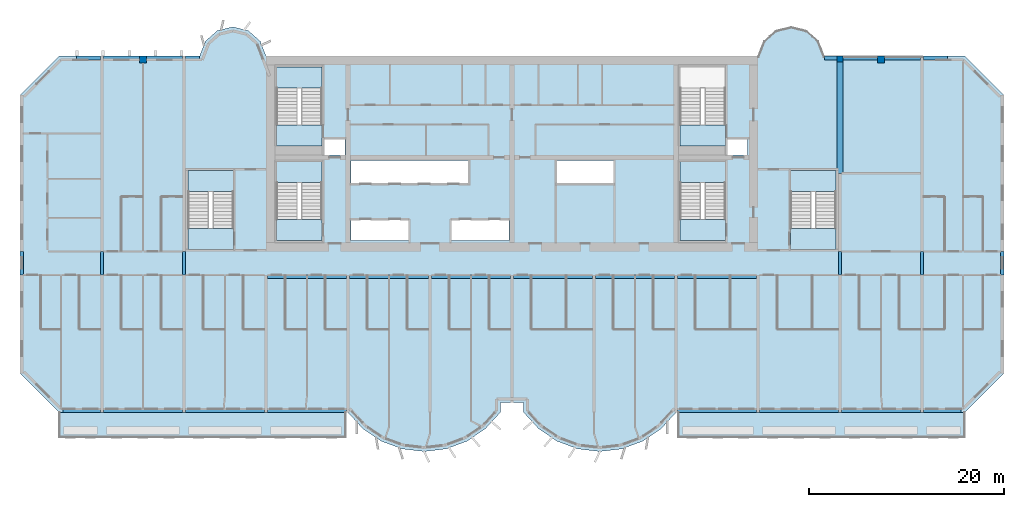
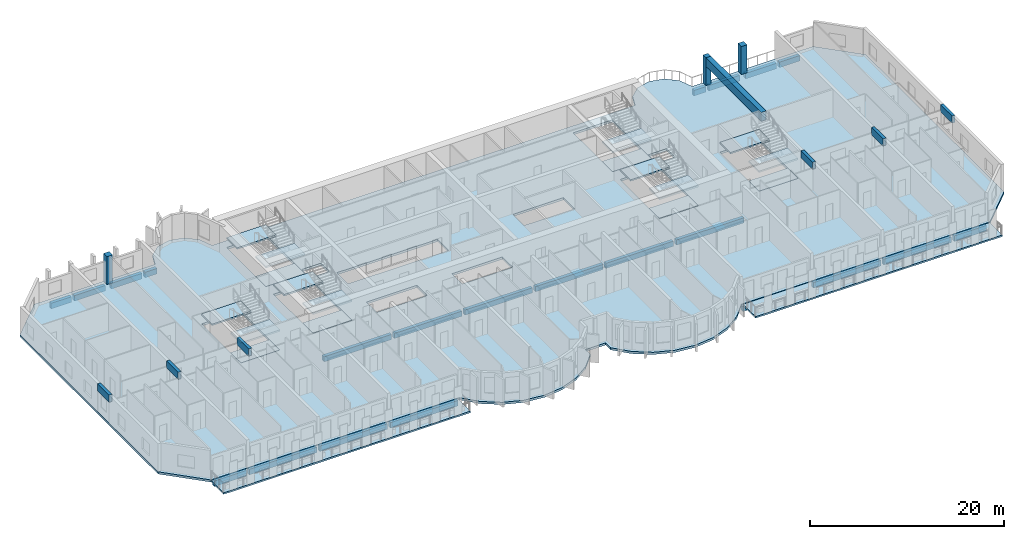
# One storey, part 1 of 15: 29 beams, 20 slabs, 3 columns, 6 elements without a shape of their own.
"""IFC4 building model written with IfcOpenShell, lengths in metres."""

from ifc_helpers import new_model, si_unit, direction, frame, origin, origin_2d, place, context, subcontext, project, spatial, polyline, rectangle, outline, extrude, source, transform, mapped, material, layer, layer_set, material_profile, profile_set, type_object, element, aggregate, save


model = new_model("IFC4")

# Units and contexts
model_context = context("Model", 3, precision=1e-05, world=origin(), true_north=direction((0.0, 1.0)))
body_context = subcontext(model_context, "Body", "Model", "MODEL_VIEW")
ifc_project = project(units=[si_unit("LENGTHUNIT", "METRE"), si_unit("AREAUNIT", "SQUARE_METRE"), si_unit("VOLUMEUNIT", "CUBIC_METRE"), si_unit("PLANEANGLEUNIT", "RADIAN"), si_unit("MASSUNIT", "GRAM", prefix="KILO")], contexts=[model_context])

# Site, building, storey
site_placement = place(None, origin())
site = spatial("IfcSite", under=ifc_project, at=site_placement, CompositionType="ELEMENT")
building_placement = place(site_placement, origin())
building = spatial("IfcBuilding", under=site, at=building_placement, Name="Vanashikhar Sky Hotel", CompositionType="ELEMENT")
storey_placement = place(building_placement, frame((0.0, 0.0, 106.60009765625)))
storey = spatial("IfcBuildingStorey", under=building, at=storey_placement, Name="L25", CompositionType="ELEMENT", Elevation=106.60009765625)

# Columns
ifc_material_1 = material(Name="Concrete M60", Category="concrete")
ifc_material_profile_1 = material_profile(ifc_material_1, rectangle(XDim=0.60009765625, YDim=0.60009765625, at=origin_2d()))
ifc_profile_set_1 = profile_set([ifc_material_profile_1], Name="RC 600x600 column Concrete M60")
column_type_1 = type_object("IfcColumnType", Name="RC 600x600 column Concrete M60", PredefinedType="COLUMN", material=ifc_profile_set_1)
shared_shape_1 = source(origin(), body_context, "Body", "SweptSolid", [
    extrude(rectangle(XDim=0.60009765625, YDim=0.60009765625, at=origin_2d()), origin(), (0.0, 0.0, 1.0), 3.52001953125),
])
column_placement = place(storey_placement, frame((84.0, 41.699951171875, 0.0), z_axis=(0.0, 0.0, 1.0), x_axis=(1.0, 0.0, 0.0)))
element("IfcColumn", 1, at=column_placement, inside=storey, type_object=column_type_1, Name="CL-L25-CRF", PredefinedType="COLUMN", context=body_context, shape_type="MappedRepresentation", body=[
    mapped(shared_shape_1, transform((0.0, 0.0, 0.0), scale=1.0)),
])
ifc_material_profile_2 = material_profile(ifc_material_1, rectangle(XDim=0.699951171875, YDim=0.699951171875, at=origin_2d()))
ifc_profile_set_2 = profile_set([ifc_material_profile_2], Name="RC 700x700 column Concrete M60")
column_type_2 = type_object("IfcColumnType", Name="RC 700x700 column Concrete M60", PredefinedType="COLUMN", material=ifc_profile_set_2)
shared_shape_2 = source(origin(), body_context, "Body", "SweptSolid", [
    extrude(rectangle(XDim=0.699951171875, YDim=0.699951171875, at=origin_2d()), origin(), (0.0, 0.0, 1.0), 3.52001953125),
])
for number, where, z_axis, x_axis, name in (
    (2, (12.60009765625, 41.64990234375, 0.0), (0.0, 0.0, 1.0), (1.0, 0.0, 0.0), "CL-L25-CR02"),
    (3, (88.199951171875, 41.64990234375, 0.0), (0.0, 0.0, 1.0), (1.0, 0.0, 0.0), "CL-L25-CR11"),
):
    element("IfcColumn", number, at=place(storey_placement, frame(where, z_axis=z_axis, x_axis=x_axis)), inside=storey, type_object=column_type_2, Name=name, PredefinedType="COLUMN", context=body_context, shape_type="MappedRepresentation", body=[
        mapped(shared_shape_2, transform((0.0, 0.0, 0.0), scale=1.0)),
    ])

# Beams
ifc_material_2 = material(Name="Concrete M50", Category="concrete")
ifc_material_profile_3 = material_profile(ifc_material_2, rectangle(XDim=0.60009765625, YDim=1.10009765625, at=origin_2d()))
ifc_profile_set_3 = profile_set([ifc_material_profile_3], Name="RC 600x1100 beam Concrete M50")
beam_type_1 = type_object("IfcBeamType", Name="RC 600x1100 beam Concrete M50", PredefinedType="BEAM", material=ifc_profile_set_3)
shared_shape_3 = source(origin(), body_context, "Body", "SweptSolid", [
    extrude(rectangle(XDim=0.60009765625, YDim=1.10009765625, at=origin_2d()), origin(), (0.0, 0.0, 1.0), 11.39990234375),
])
beam_1_placement = place(storey_placement, frame((84.0, 30.0, 2.969970703125), z_axis=(0.0, 1.0, 0.0), x_axis=(-1.0, 0.0, 0.0)))
element("IfcBeam", 4, at=beam_1_placement, inside=storey, type_object=beam_type_1, Name="LB-L25-XW11-O1", PredefinedType="BEAM", context=body_context, shape_type="MappedRepresentation", body=[
    mapped(shared_shape_3, transform((0.0, 0.0, 0.0), scale=1.0)),
])
ifc_material_profile_4 = material_profile(ifc_material_2, rectangle(XDim=0.35009765625, YDim=0.89990234375, at=origin_2d()))
ifc_profile_set_4 = profile_set([ifc_material_profile_4], Name="RC 350x900 beam Concrete M50")
beam_type_2 = type_object("IfcBeamType", Name="RC 350x900 beam Concrete M50", PredefinedType="LINTEL", material=ifc_profile_set_4)
shared_shape_4 = source(origin(), body_context, "Body", "SweptSolid", [
    extrude(rectangle(XDim=0.35009765625, YDim=0.89990234375, at=origin_2d()), origin(), (0.0, 0.0, 1.0), 2.39990234375),
])
for number, where, z_axis, x_axis, name in (
    (5, (0.175048828125, 19.60009765625, 3.06982421875), (0.0, 1.0, 0.0), (-1.0, 0.0, 0.0), "LB-L25-XW01"),
    (6, (8.39990234375, 19.60009765625, 3.06982421875), (0.0, 1.0, 0.0), (-1.0, 0.0, 0.0), "LB-L25-XW02"),
    (7, (16.800048828125, 19.60009765625, 3.06982421875), (0.0, 1.0, 0.0), (-1.0, 0.0, 0.0), "LB-L25-XW03"),
    (8, (84.0, 19.60009765625, 3.06982421875), (0.0, 1.0, 0.0), (-1.0, 0.0, 0.0), "LB-L25-XW11"),
    (9, (92.39990234375, 19.60009765625, 3.06982421875), (0.0, 1.0, 0.0), (-1.0, 0.0, 0.0), "LB-L25-XW12"),
    (10, (100.625, 19.60009765625, 3.06982421875), (0.0, 1.0, 0.0), (-1.0, 0.0, 0.0), "LB-L25-XW13"),
):
    element("IfcBeam", number, at=place(storey_placement, frame(where, z_axis=z_axis, x_axis=x_axis)), inside=storey, type_object=beam_type_2, Name=name, PredefinedType="LINTEL", context=body_context, shape_type="MappedRepresentation", body=[
        mapped(shared_shape_4, transform((0.0, 0.0, 0.0), scale=1.0)),
    ])
ifc_material_profile_5 = material_profile(ifc_material_2, rectangle(XDim=0.39990234375, YDim=0.699951171875, at=origin_2d()))
ifc_profile_set_5 = profile_set([ifc_material_profile_5], Name="RC 400x700 beam Concrete M50")
beam_type_3 = type_object("IfcBeamType", Name="RC 400x700 beam Concrete M50", PredefinedType="SPANDREL", material=ifc_profile_set_5)
shared_shape_5 = source(origin(), body_context, "Body", "SweptSolid", [
    extrude(rectangle(XDim=0.39990234375, YDim=0.699951171875, at=origin_2d()), origin(), (0.0, 0.0, 1.0), 8.050048828125),
])
for number, where, z_axis, x_axis, name in (
    (11, (8.574951171875, 5.699951171875, -0.630126953125), (1.0, 0.0, 0.0), (0.0, 1.0, 0.0), "EB-L25-F01"),
    (12, (25.375, 5.699951171875, -0.630126953125), (1.0, 0.0, 0.0), (0.0, 1.0, 0.0), "EB-L25-F03"),
    (13, (67.375, 5.699951171875, -0.630126953125), (1.0, 0.0, 0.0), (0.0, 1.0, 0.0), "EB-L25-F05"),
    (14, (75.77490234375, 5.699951171875, -0.630126953125), (1.0, 0.0, 0.0), (0.0, 1.0, 0.0), "EB-L25-F06"),
    (15, (84.175048828125, 5.699951171875, -0.630126953125), (1.0, 0.0, 0.0), (0.0, 1.0, 0.0), "EB-L25-F07"),
):
    element("IfcBeam", number, at=place(storey_placement, frame(where, z_axis=z_axis, x_axis=x_axis)), inside=storey, type_object=beam_type_3, Name=name, PredefinedType="SPANDREL", context=body_context, shape_type="MappedRepresentation", body=[
        mapped(shared_shape_5, transform((0.0, 0.0, 0.0), scale=1.0)),
    ])
shared_shape_6 = source(origin(), body_context, "Body", "SweptSolid", [
    extrude(rectangle(XDim=0.39990234375, YDim=0.699951171875, at=origin_2d()), origin(), (0.0, 0.0, 1.0), 8.0498046875),
])
beam_2_placement = place(storey_placement, frame((16.97509765625, 5.699951171875, -0.630126953125), z_axis=(1.0, 0.0, 0.0), x_axis=(0.0, 1.0, 0.0)))
element("IfcBeam", 16, at=beam_2_placement, inside=storey, type_object=beam_type_3, Name="EB-L25-F02", PredefinedType="SPANDREL", context=body_context, shape_type="MappedRepresentation", body=[
    mapped(shared_shape_6, transform((0.0, 0.0, 0.0), scale=1.0)),
])
ifc_material_profile_6 = material_profile(ifc_material_2, rectangle(XDim=0.39990234375, YDim=0.699951171875, at=origin_2d()))
ifc_profile_set_6 = profile_set([ifc_material_profile_6], Name="RC 400x700 cantilever beam Concrete M50")
beam_type_4 = type_object("IfcBeamType", Name="RC 400x700 cantilever beam Concrete M50", PredefinedType="SPANDREL", material=ifc_profile_set_6)
shared_shape_7 = source(origin(), body_context, "Body", "SweptSolid", [
    extrude(rectangle(XDim=0.39990234375, YDim=0.699951171875, at=origin_2d()), origin(), (0.0, 0.0, 1.0), 3.8251953125),
])
beam_3_placement = place(storey_placement, frame((4.39990234375, 5.699951171875, -0.630126953125), z_axis=(1.0, 0.0, 0.0), x_axis=(0.0, 1.0, 0.0)))
element("IfcBeam", 17, at=beam_3_placement, inside=storey, type_object=beam_type_4, Name="EB-L25-F04", PredefinedType="SPANDREL", context=body_context, shape_type="MappedRepresentation", body=[
    mapped(shared_shape_7, transform((0.0, 0.0, 0.0), scale=1.0)),
])
shared_shape_8 = source(origin(), body_context, "Body", "SweptSolid", [
    extrude(rectangle(XDim=0.39990234375, YDim=0.699951171875, at=origin_2d()), origin(), (0.0, 0.0, 1.0), 3.824951171875),
])
beam_4_placement = place(storey_placement, frame((92.574951171875, 5.699951171875, -0.630126953125), z_axis=(1.0, 0.0, 0.0), x_axis=(0.0, 1.0, 0.0)))
element("IfcBeam", 18, at=beam_4_placement, inside=storey, type_object=beam_type_4, Name="EB-L25-F08", PredefinedType="SPANDREL", context=body_context, shape_type="MappedRepresentation", body=[
    mapped(shared_shape_8, transform((0.0, 0.0, 0.0), scale=1.0)),
])
shared_shape_9 = source(origin(), body_context, "Body", "SweptSolid", [
    extrude(rectangle(XDim=0.39990234375, YDim=0.699951171875, at=origin_2d()), origin(), (0.0, 0.0, 1.0), 3.675048828125),
])
for number, where, z_axis, x_axis, name in (
    (19, (8.574951171875, 41.800048828125, -0.630126953125), (1.0, 0.0, 0.0), (0.0, 1.0, 0.0), "EB-L25-R01"),
    (20, (12.949951171875, 41.800048828125, -0.630126953125), (1.0, 0.0, 0.0), (0.0, 1.0, 0.0), "EB-L25-R02"),
    (21, (84.175048828125, 41.800048828125, -0.630126953125), (1.0, 0.0, 0.0), (0.0, 1.0, 0.0), "EB-L25-R05"),
    (22, (88.550048828125, 41.800048828125, -0.630126953125), (1.0, 0.0, 0.0), (0.0, 1.0, 0.0), "EB-L25-R06"),
):
    element("IfcBeam", number, at=place(storey_placement, frame(where, z_axis=z_axis, x_axis=x_axis)), inside=storey, type_object=beam_type_3, Name=name, PredefinedType="SPANDREL", context=body_context, shape_type="MappedRepresentation", body=[
        mapped(shared_shape_9, transform((0.0, 0.0, 0.0), scale=1.0)),
    ])
shared_shape_10 = source(origin(), body_context, "Body", "SweptSolid", [
    extrude(rectangle(XDim=0.39990234375, YDim=0.699951171875, at=origin_2d()), origin(), (0.0, 0.0, 1.0), 2.43017578125),
])
beam_5_placement = place(storey_placement, frame((5.794921875, 41.800048828125, -0.630126953125), z_axis=(1.0, 0.0, 0.0), x_axis=(0.0, 1.0, 0.0)))
element("IfcBeam", 23, at=beam_5_placement, inside=storey, type_object=beam_type_4, Name="EB-L25-R03", PredefinedType="SPANDREL", context=body_context, shape_type="MappedRepresentation", body=[
    mapped(shared_shape_10, transform((0.0, 0.0, 0.0), scale=1.0)),
])
shared_shape_11 = source(origin(), body_context, "Body", "SweptSolid", [
    extrude(rectangle(XDim=0.39990234375, YDim=0.699951171875, at=origin_2d()), origin(), (0.0, 0.0, 1.0), 1.4248046875),
])
beam_6_placement = place(storey_placement, frame((16.97509765625, 41.800048828125, -0.630126953125), z_axis=(1.0, 0.0, 0.0), x_axis=(0.0, 1.0, 0.0)))
element("IfcBeam", 24, at=beam_6_placement, inside=storey, type_object=beam_type_4, Name="EB-L25-R04", PredefinedType="SPANDREL", context=body_context, shape_type="MappedRepresentation", body=[
    mapped(shared_shape_11, transform((0.0, 0.0, 0.0), scale=1.0)),
])
shared_shape_12 = source(origin(), body_context, "Body", "SweptSolid", [
    extrude(rectangle(XDim=0.39990234375, YDim=0.699951171875, at=origin_2d()), origin(), (0.0, 0.0, 1.0), 1.425048828125),
])
beam_7_placement = place(storey_placement, frame((82.39990234375, 41.800048828125, -0.630126953125), z_axis=(1.0, 0.0, 0.0), x_axis=(0.0, 1.0, 0.0)))
element("IfcBeam", 25, at=beam_7_placement, inside=storey, type_object=beam_type_4, Name="EB-L25-R07", PredefinedType="SPANDREL", context=body_context, shape_type="MappedRepresentation", body=[
    mapped(shared_shape_12, transform((0.0, 0.0, 0.0), scale=1.0)),
])
shared_shape_13 = source(origin(), body_context, "Body", "SweptSolid", [
    extrude(rectangle(XDim=0.39990234375, YDim=0.699951171875, at=origin_2d()), origin(), (0.0, 0.0, 1.0), 2.429931640625),
])
beam_8_placement = place(storey_placement, frame((92.574951171875, 41.800048828125, -0.630126953125), z_axis=(1.0, 0.0, 0.0), x_axis=(0.0, 1.0, 0.0)))
element("IfcBeam", 26, at=beam_8_placement, inside=storey, type_object=beam_type_4, Name="EB-L25-R08", PredefinedType="SPANDREL", context=body_context, shape_type="MappedRepresentation", body=[
    mapped(shared_shape_13, transform((0.0, 0.0, 0.0), scale=1.0)),
])
ifc_material_profile_7 = material_profile(ifc_material_2, rectangle(XDim=0.39990234375, YDim=0.64990234375, at=origin_2d()))
ifc_profile_set_7 = profile_set([ifc_material_profile_7], Name="RC 400x650 beam Concrete M50")
beam_type_5 = type_object("IfcBeamType", Name="RC 400x650 beam Concrete M50", PredefinedType="BEAM", material=ifc_profile_set_7)
shared_shape_14 = source(origin(), body_context, "Body", "SweptSolid", [
    extrude(rectangle(XDim=0.39990234375, YDim=0.64990234375, at=origin_2d()), origin(), (0.0, 0.0, 1.0), 8.050048828125),
])
for number, where, z_axis, x_axis, name in (
    (27, (25.375, 19.39990234375, -0.60498046875), (1.0, 0.0, 0.0), (0.0, 1.0, 0.0), "CB-L25-01"),
    (28, (33.77490234375, 19.39990234375, -0.60498046875), (1.0, 0.0, 0.0), (0.0, 1.0, 0.0), "CB-L25-02"),
    (29, (42.175048828125, 19.39990234375, -0.60498046875), (1.0, 0.0, 0.0), (0.0, 1.0, 0.0), "CB-L25-03"),
    (30, (50.574951171875, 19.39990234375, -0.60498046875), (1.0, 0.0, 0.0), (0.0, 1.0, 0.0), "CB-L25-04"),
    (31, (67.375, 19.39990234375, -0.60498046875), (1.0, 0.0, 0.0), (0.0, 1.0, 0.0), "CB-L25-06"),
):
    element("IfcBeam", number, at=place(storey_placement, frame(where, z_axis=z_axis, x_axis=x_axis)), inside=storey, type_object=beam_type_5, Name=name, PredefinedType="BEAM", context=body_context, shape_type="MappedRepresentation", body=[
        mapped(shared_shape_14, transform((0.0, 0.0, 0.0), scale=1.0)),
    ])
shared_shape_15 = source(origin(), body_context, "Body", "SweptSolid", [
    extrude(rectangle(XDim=0.39990234375, YDim=0.64990234375, at=origin_2d()), origin(), (0.0, 0.0, 1.0), 8.0498046875),
])
beam_9_placement = place(storey_placement, frame((58.97509765625, 19.39990234375, -0.60498046875), z_axis=(1.0, 0.0, 0.0), x_axis=(0.0, 1.0, 0.0)))
element("IfcBeam", 32, at=beam_9_placement, inside=storey, type_object=beam_type_5, Name="CB-L25-05", PredefinedType="BEAM", context=body_context, shape_type="MappedRepresentation", body=[
    mapped(shared_shape_15, transform((0.0, 0.0, 0.0), scale=1.0)),
])

# Slabs
ifc_material_3 = material(Name="Concrete M40", Category="concrete")
ifc_layer_1 = layer(ifc_material_3, 0.280029296875)
ifc_layer_set_1 = layer_set([ifc_layer_1], Name="Floor slab 280 mm")
slab_type_1 = type_object("IfcSlabType", Name="Floor slab 280 mm", PredefinedType="FLOOR", material=ifc_layer_set_1)
shared_shape_16 = source(origin(), body_context, "Body", "SweptSolid", [
    extrude(outline(polyline([(49.199951171875, 5.5), (49.199951171875, 6.5), (51.60009765625, 6.5), (51.60009765625, 5.5), (53.133056640625, 3.825927734375), (55.01708984375, 2.55810546875), (57.14599609375, 1.76806640625), (59.39990234375, 1.5), (61.654052734375, 1.76806640625), (63.782958984375, 2.55810546875), (65.6669921875, 3.825927734375), (67.199951171875, 5.5), (96.800048828125, 5.5), (100.800048828125, 9.5), (100.800048828125, 38.0), (96.800048828125, 42.0), (82.39990234375, 42.0), (81.81494140625, 43.527099609375), (80.587890625, 44.610107421875), (79.0, 45.0), (77.412109375, 44.610107421875), (76.18505859375, 43.527099609375), (75.60009765625, 42.0), (25.199951171875, 42.0), (24.614990234375, 43.527099609375), (23.387939453125, 44.610107421875), (21.800048828125, 45.0), (20.2119140625, 44.610107421875), (18.985107421875, 43.527099609375), (18.39990234375, 42.0), (4.0, 42.0), (0.0, 38.0), (0.0, 9.5), (4.0, 5.5), (33.60009765625, 5.5), (35.133056640625, 3.825927734375), (37.01708984375, 2.55810546875), (39.14599609375, 1.76806640625), (41.39990234375, 1.5), (43.654052734375, 1.76806640625), (45.782958984375, 2.55810546875), (47.6669921875, 3.825927734375), (49.199951171875, 5.5)]), holes=[polyline([(33.300048828125, 33.60009765625), (31.050048828125, 33.60009765625), (31.050048828125, 31.89990234375), (33.300048828125, 31.89990234375), (33.300048828125, 33.60009765625)]), polyline([(33.89990234375, 25.199951171875), (33.89990234375, 23.10009765625), (39.89990234375, 23.10009765625), (39.89990234375, 25.199951171875), (33.89990234375, 25.199951171875)]), polyline([(33.89990234375, 31.300048828125), (33.89990234375, 29.0), (45.89990234375, 29.0), (45.89990234375, 31.300048828125), (33.89990234375, 31.300048828125)]), polyline([(44.10009765625, 25.199951171875), (44.10009765625, 23.10009765625), (50.10009765625, 23.10009765625), (50.10009765625, 25.199951171875), (44.10009765625, 25.199951171875)]), polyline([(54.89990234375, 31.300048828125), (54.89990234375, 29.0), (60.89990234375, 29.0), (60.89990234375, 31.300048828125), (54.89990234375, 31.300048828125)]), polyline([(74.5, 33.60009765625), (72.35009765625, 33.60009765625), (72.35009765625, 31.89990234375), (74.5, 31.89990234375), (74.5, 33.60009765625)]), polyline([(30.949951171875, 23.10009765625), (30.949951171875, 31.199951171875), (26.300048828125, 31.199951171875), (26.300048828125, 23.10009765625), (30.949951171875, 23.10009765625)]), polyline([(72.25, 23.10009765625), (72.25, 31.199951171875), (67.60009765625, 31.199951171875), (67.60009765625, 23.10009765625), (72.25, 23.10009765625)]), polyline([(30.949951171875, 32.800048828125), (30.949951171875, 40.89990234375), (26.300048828125, 40.89990234375), (26.300048828125, 32.800048828125), (30.949951171875, 32.800048828125)]), polyline([(72.25, 32.800048828125), (72.25, 40.89990234375), (67.60009765625, 40.89990234375), (67.60009765625, 32.800048828125), (72.25, 32.800048828125)]), polyline([(83.60009765625, 22.199951171875), (83.60009765625, 30.300048828125), (78.949951171875, 30.300048828125), (78.949951171875, 22.199951171875), (83.60009765625, 22.199951171875)]), polyline([(21.85009765625, 22.199951171875), (21.85009765625, 30.300048828125), (17.199951171875, 30.300048828125), (17.199951171875, 22.199951171875), (21.85009765625, 22.199951171875)])]), origin(), (0.0, 0.0, 1.0), 0.280029296875),
])
slab_1_placement = place(storey_placement, frame((0.0, 0.0, -0.280029296875)))
element("IfcSlab", 33, at=slab_1_placement, inside=storey, type_object=slab_type_1, Name="Floor slab L25", PredefinedType="FLOOR", context=body_context, shape_type="MappedRepresentation", body=[
    mapped(shared_shape_16, transform((0.0, 0.0, 0.0), scale=1.0)),
])
ifc_layer_2 = layer(ifc_material_3, 0.199951171875)
ifc_layer_set_2 = layer_set([ifc_layer_2], Name="Balcony slab 200 mm")
slab_type_2 = type_object("IfcSlabType", Name="Balcony slab 200 mm", PredefinedType="USERDEFINED", material=ifc_layer_set_2)
shared_shape_17 = source(origin(), body_context, "Body", "SweptSolid", [
    extrude(outline(polyline([(4.0, 2.89990234375), (33.39990234375, 2.89990234375), (33.39990234375, 5.5), (4.0, 5.5), (4.0, 2.89990234375)])), origin(), (0.0, 0.0, 1.0), 0.199951171875),
])
slab_2_placement = place(storey_placement, frame((0.0, 0.0, -0.25)))
element("IfcSlab", 34, at=slab_2_placement, inside=storey, type_object=slab_type_2, Name="Balcony slab L25 1", ObjectType="BALCONY", PredefinedType="USERDEFINED", context=body_context, shape_type="MappedRepresentation", body=[
    mapped(shared_shape_17, transform((0.0, 0.0, 0.0), scale=1.0)),
])
shared_shape_18 = source(origin(), body_context, "Body", "SweptSolid", [
    extrude(outline(polyline([(67.39990234375, 2.89990234375), (96.800048828125, 2.89990234375), (96.800048828125, 5.5), (67.39990234375, 5.5), (67.39990234375, 2.89990234375)])), origin(), (0.0, 0.0, 1.0), 0.199951171875),
])
slab_3_placement = place(storey_placement, frame((0.0, 0.0, -0.25)))
element("IfcSlab", 35, at=slab_3_placement, inside=storey, type_object=slab_type_2, Name="Balcony slab L25 2", ObjectType="BALCONY", PredefinedType="USERDEFINED", context=body_context, shape_type="MappedRepresentation", body=[
    mapped(shared_shape_18, transform((0.0, 0.0, 0.0), scale=1.0)),
])

# Stair, slabs
stair_type = type_object("IfcStairType", Name="Exit stair 2150", PredefinedType="DOUBLE_RETURN_STAIR", material=ifc_material_3)
stair_1_placement = place(storey_placement, origin())
stair_1 = element("IfcStair", 36, at=stair_1_placement, inside=storey, type_object=stair_type, Name="L25 Exit stair 1", PredefinedType="DOUBLE_RETURN_STAIR")
ifc_layer_3 = layer(ifc_material_3, 0.199951171875)
ifc_layer_set_3 = layer_set([ifc_layer_3], Name="Stair landing 200")
slab_type_3 = type_object("IfcSlabType", Name="Stair landing 200", PredefinedType="LANDING", material=ifc_layer_set_3)
shared_shape_19 = source(origin(), body_context, "Body", "SweptSolid", [
    extrude(outline(polyline([(30.949951171875, 29.050048828125), (30.949951171875, 31.199951171875), (26.300048828125, 31.199951171875), (26.300048828125, 29.050048828125), (30.949951171875, 29.050048828125)])), origin(), (0.0, 0.0, 1.0), 0.199951171875),
])
slab_4_placement = place(storey_placement, frame((0.0, 0.0, 1.066650390625)))
slab_4 = element("IfcSlab", 37, at=slab_4_placement, type_object=slab_type_3, Name="ST-C1 landing 1", PredefinedType="LANDING", context=body_context, shape_type="MappedRepresentation", body=[
    mapped(shared_shape_19, transform((0.0, 0.0, 0.0), scale=1.0)),
])
shared_shape_20 = source(origin(), body_context, "Body", "SweptSolid", [
    extrude(outline(polyline([(30.949951171875, 23.10009765625), (30.949951171875, 25.25), (26.300048828125, 25.25), (26.300048828125, 23.10009765625), (30.949951171875, 23.10009765625)])), origin(), (0.0, 0.0, 1.0), 0.199951171875),
])
slab_5_placement = place(storey_placement, frame((0.0, 0.0, 2.333251953125)))
slab_5 = element("IfcSlab", 38, at=slab_5_placement, type_object=slab_type_3, Name="ST-C1 landing 2", PredefinedType="LANDING", context=body_context, shape_type="MappedRepresentation", body=[
    mapped(shared_shape_20, transform((0.0, 0.0, 0.0), scale=1.0)),
])
aggregate(stair_1, [slab_4, slab_5])

# Slab
ifc_layer_4 = layer(ifc_material_3, 0.280029296875)
ifc_layer_set_4 = layer_set([ifc_layer_4], Name="Stair floor landing 280")
slab_type_4 = type_object("IfcSlabType", Name="Stair floor landing 280", PredefinedType="LANDING", material=ifc_layer_set_4)
shared_shape_21 = source(origin(), body_context, "Body", "SweptSolid", [
    extrude(outline(polyline([(30.949951171875, 23.10009765625), (30.949951171875, 25.25), (26.300048828125, 25.25), (26.300048828125, 23.10009765625), (30.949951171875, 23.10009765625)])), origin(), (0.0, 0.0, 1.0), 0.280029296875),
])
slab_6_placement = place(storey_placement, frame((0.0, 0.0, -0.280029296875)))
element("IfcSlab", 39, at=slab_6_placement, inside=storey, type_object=slab_type_4, Name="Exit stair 1 floor landing", PredefinedType="LANDING", context=body_context, shape_type="MappedRepresentation", body=[
    mapped(shared_shape_21, transform((0.0, 0.0, 0.0), scale=1.0)),
])

# Stair, slabs
stair_2_placement = place(storey_placement, origin())
stair_2 = element("IfcStair", 40, at=stair_2_placement, inside=storey, type_object=stair_type, Name="L25 Exit stair 2", PredefinedType="DOUBLE_RETURN_STAIR")
shared_shape_22 = source(origin(), body_context, "Body", "SweptSolid", [
    extrude(outline(polyline([(72.25, 29.050048828125), (72.25, 31.199951171875), (67.60009765625, 31.199951171875), (67.60009765625, 29.050048828125), (72.25, 29.050048828125)])), origin(), (0.0, 0.0, 1.0), 0.199951171875),
])
slab_7_placement = place(storey_placement, frame((0.0, 0.0, 1.066650390625)))
slab_7 = element("IfcSlab", 41, at=slab_7_placement, type_object=slab_type_3, Name="ST-C2 landing 1", PredefinedType="LANDING", context=body_context, shape_type="MappedRepresentation", body=[
    mapped(shared_shape_22, transform((0.0, 0.0, 0.0), scale=1.0)),
])
shared_shape_23 = source(origin(), body_context, "Body", "SweptSolid", [
    extrude(outline(polyline([(72.25, 23.10009765625), (72.25, 25.25), (67.60009765625, 25.25), (67.60009765625, 23.10009765625), (72.25, 23.10009765625)])), origin(), (0.0, 0.0, 1.0), 0.199951171875),
])
slab_8_placement = place(storey_placement, frame((0.0, 0.0, 2.333251953125)))
slab_8 = element("IfcSlab", 42, at=slab_8_placement, type_object=slab_type_3, Name="ST-C2 landing 2", PredefinedType="LANDING", context=body_context, shape_type="MappedRepresentation", body=[
    mapped(shared_shape_23, transform((0.0, 0.0, 0.0), scale=1.0)),
])
aggregate(stair_2, [slab_7, slab_8])

# Slab
shared_shape_24 = source(origin(), body_context, "Body", "SweptSolid", [
    extrude(outline(polyline([(72.25, 23.10009765625), (72.25, 25.25), (67.60009765625, 25.25), (67.60009765625, 23.10009765625), (72.25, 23.10009765625)])), origin(), (0.0, 0.0, 1.0), 0.280029296875),
])
slab_9_placement = place(storey_placement, frame((0.0, 0.0, -0.280029296875)))
element("IfcSlab", 43, at=slab_9_placement, inside=storey, type_object=slab_type_4, Name="Exit stair 2 floor landing", PredefinedType="LANDING", context=body_context, shape_type="MappedRepresentation", body=[
    mapped(shared_shape_24, transform((0.0, 0.0, 0.0), scale=1.0)),
])

# Stair, slabs
stair_3_placement = place(storey_placement, origin())
stair_3 = element("IfcStair", 44, at=stair_3_placement, inside=storey, type_object=stair_type, Name="L25 Exit stair 3", PredefinedType="DOUBLE_RETURN_STAIR")
shared_shape_25 = source(origin(), body_context, "Body", "SweptSolid", [
    extrude(outline(polyline([(21.85009765625, 28.14990234375), (21.85009765625, 30.300048828125), (17.199951171875, 30.300048828125), (17.199951171875, 28.14990234375), (21.85009765625, 28.14990234375)])), origin(), (0.0, 0.0, 1.0), 0.199951171875),
])
slab_10_placement = place(storey_placement, frame((0.0, 0.0, 1.066650390625)))
slab_10 = element("IfcSlab", 45, at=slab_10_placement, type_object=slab_type_3, Name="ST-W landing 1", PredefinedType="LANDING", context=body_context, shape_type="MappedRepresentation", body=[
    mapped(shared_shape_25, transform((0.0, 0.0, 0.0), scale=1.0)),
])
shared_shape_26 = source(origin(), body_context, "Body", "SweptSolid", [
    extrude(outline(polyline([(21.85009765625, 22.199951171875), (21.85009765625, 24.35009765625), (17.199951171875, 24.35009765625), (17.199951171875, 22.199951171875), (21.85009765625, 22.199951171875)])), origin(), (0.0, 0.0, 1.0), 0.199951171875),
])
slab_11_placement = place(storey_placement, frame((0.0, 0.0, 2.333251953125)))
slab_11 = element("IfcSlab", 46, at=slab_11_placement, type_object=slab_type_3, Name="ST-W landing 2", PredefinedType="LANDING", context=body_context, shape_type="MappedRepresentation", body=[
    mapped(shared_shape_26, transform((0.0, 0.0, 0.0), scale=1.0)),
])
aggregate(stair_3, [slab_10, slab_11])

# Slab
shared_shape_27 = source(origin(), body_context, "Body", "SweptSolid", [
    extrude(outline(polyline([(21.85009765625, 22.199951171875), (21.85009765625, 24.35009765625), (17.199951171875, 24.35009765625), (17.199951171875, 22.199951171875), (21.85009765625, 22.199951171875)])), origin(), (0.0, 0.0, 1.0), 0.280029296875),
])
slab_12_placement = place(storey_placement, frame((0.0, 0.0, -0.280029296875)))
element("IfcSlab", 47, at=slab_12_placement, inside=storey, type_object=slab_type_4, Name="Exit stair 3 floor landing", PredefinedType="LANDING", context=body_context, shape_type="MappedRepresentation", body=[
    mapped(shared_shape_27, transform((0.0, 0.0, 0.0), scale=1.0)),
])

# Stair, slabs
stair_4_placement = place(storey_placement, origin())
stair_4 = element("IfcStair", 48, at=stair_4_placement, inside=storey, type_object=stair_type, Name="L25 Exit stair 4", PredefinedType="DOUBLE_RETURN_STAIR")
shared_shape_28 = source(origin(), body_context, "Body", "SweptSolid", [
    extrude(outline(polyline([(83.60009765625, 28.14990234375), (83.60009765625, 30.300048828125), (78.949951171875, 30.300048828125), (78.949951171875, 28.14990234375), (83.60009765625, 28.14990234375)])), origin(), (0.0, 0.0, 1.0), 0.199951171875),
])
slab_13_placement = place(storey_placement, frame((0.0, 0.0, 1.066650390625)))
slab_13 = element("IfcSlab", 49, at=slab_13_placement, type_object=slab_type_3, Name="ST-E landing 1", PredefinedType="LANDING", context=body_context, shape_type="MappedRepresentation", body=[
    mapped(shared_shape_28, transform((0.0, 0.0, 0.0), scale=1.0)),
])
shared_shape_29 = source(origin(), body_context, "Body", "SweptSolid", [
    extrude(outline(polyline([(83.60009765625, 22.199951171875), (83.60009765625, 24.35009765625), (78.949951171875, 24.35009765625), (78.949951171875, 22.199951171875), (83.60009765625, 22.199951171875)])), origin(), (0.0, 0.0, 1.0), 0.199951171875),
])
slab_14_placement = place(storey_placement, frame((0.0, 0.0, 2.333251953125)))
slab_14 = element("IfcSlab", 50, at=slab_14_placement, type_object=slab_type_3, Name="ST-E landing 2", PredefinedType="LANDING", context=body_context, shape_type="MappedRepresentation", body=[
    mapped(shared_shape_29, transform((0.0, 0.0, 0.0), scale=1.0)),
])
aggregate(stair_4, [slab_13, slab_14])

# Slab
shared_shape_30 = source(origin(), body_context, "Body", "SweptSolid", [
    extrude(outline(polyline([(83.60009765625, 22.199951171875), (83.60009765625, 24.35009765625), (78.949951171875, 24.35009765625), (78.949951171875, 22.199951171875), (83.60009765625, 22.199951171875)])), origin(), (0.0, 0.0, 1.0), 0.280029296875),
])
slab_15_placement = place(storey_placement, frame((0.0, 0.0, -0.280029296875)))
element("IfcSlab", 51, at=slab_15_placement, inside=storey, type_object=slab_type_4, Name="Exit stair 4 floor landing", PredefinedType="LANDING", context=body_context, shape_type="MappedRepresentation", body=[
    mapped(shared_shape_30, transform((0.0, 0.0, 0.0), scale=1.0)),
])

# Stair, slabs
stair_5_placement = place(storey_placement, origin())
stair_5 = element("IfcStair", 52, at=stair_5_placement, inside=storey, type_object=stair_type, Name="L25 Exit stair 5", PredefinedType="DOUBLE_RETURN_STAIR")
shared_shape_31 = source(origin(), body_context, "Body", "SweptSolid", [
    extrude(outline(polyline([(30.949951171875, 38.75), (30.949951171875, 40.89990234375), (26.300048828125, 40.89990234375), (26.300048828125, 38.75), (30.949951171875, 38.75)])), origin(), (0.0, 0.0, 1.0), 0.199951171875),
])
slab_16_placement = place(storey_placement, frame((0.0, 0.0, 1.066650390625)))
slab_16 = element("IfcSlab", 53, at=slab_16_placement, type_object=slab_type_3, Name="ST-C3 landing 1", PredefinedType="LANDING", context=body_context, shape_type="MappedRepresentation", body=[
    mapped(shared_shape_31, transform((0.0, 0.0, 0.0), scale=1.0)),
])
shared_shape_32 = source(origin(), body_context, "Body", "SweptSolid", [
    extrude(outline(polyline([(30.949951171875, 32.800048828125), (30.949951171875, 34.949951171875), (26.300048828125, 34.949951171875), (26.300048828125, 32.800048828125), (30.949951171875, 32.800048828125)])), origin(), (0.0, 0.0, 1.0), 0.199951171875),
])
slab_17_placement = place(storey_placement, frame((0.0, 0.0, 2.333251953125)))
slab_17 = element("IfcSlab", 54, at=slab_17_placement, type_object=slab_type_3, Name="ST-C3 landing 2", PredefinedType="LANDING", context=body_context, shape_type="MappedRepresentation", body=[
    mapped(shared_shape_32, transform((0.0, 0.0, 0.0), scale=1.0)),
])
aggregate(stair_5, [slab_16, slab_17])

# Slab
shared_shape_33 = source(origin(), body_context, "Body", "SweptSolid", [
    extrude(outline(polyline([(30.949951171875, 32.800048828125), (30.949951171875, 34.949951171875), (26.300048828125, 34.949951171875), (26.300048828125, 32.800048828125), (30.949951171875, 32.800048828125)])), origin(), (0.0, 0.0, 1.0), 0.280029296875),
])
slab_18_placement = place(storey_placement, frame((0.0, 0.0, -0.280029296875)))
element("IfcSlab", 55, at=slab_18_placement, inside=storey, type_object=slab_type_4, Name="Exit stair 5 floor landing", PredefinedType="LANDING", context=body_context, shape_type="MappedRepresentation", body=[
    mapped(shared_shape_33, transform((0.0, 0.0, 0.0), scale=1.0)),
])

# Stair, slab
stair_6_placement = place(storey_placement, origin())
stair_6 = element("IfcStair", 56, at=stair_6_placement, inside=storey, type_object=stair_type, Name="L25 Exit stair 6", PredefinedType="DOUBLE_RETURN_STAIR")
shared_shape_34 = source(origin(), body_context, "Body", "SweptSolid", [
    extrude(outline(polyline([(72.25, 32.800048828125), (72.25, 34.949951171875), (67.60009765625, 34.949951171875), (67.60009765625, 32.800048828125), (72.25, 32.800048828125)])), origin(), (0.0, 0.0, 1.0), 0.199951171875),
])
slab_19_placement = place(storey_placement, frame((0.0, 0.0, 2.333251953125)))
slab_19 = element("IfcSlab", 57, at=slab_19_placement, type_object=slab_type_3, Name="ST-C4 landing 2", PredefinedType="LANDING", context=body_context, shape_type="MappedRepresentation", body=[
    mapped(shared_shape_34, transform((0.0, 0.0, 0.0), scale=1.0)),
])
aggregate(stair_6, [slab_19])

# Slab
shared_shape_35 = source(origin(), body_context, "Body", "SweptSolid", [
    extrude(outline(polyline([(72.25, 32.800048828125), (72.25, 34.949951171875), (67.60009765625, 34.949951171875), (67.60009765625, 32.800048828125), (72.25, 32.800048828125)])), origin(), (0.0, 0.0, 1.0), 0.280029296875),
])
slab_20_placement = place(storey_placement, frame((0.0, 0.0, -0.280029296875)))
element("IfcSlab", 58, at=slab_20_placement, inside=storey, type_object=slab_type_4, Name="Exit stair 6 floor landing", PredefinedType="LANDING", context=body_context, shape_type="MappedRepresentation", body=[
    mapped(shared_shape_35, transform((0.0, 0.0, 0.0), scale=1.0)),
])

save(model, "model.ifc")
